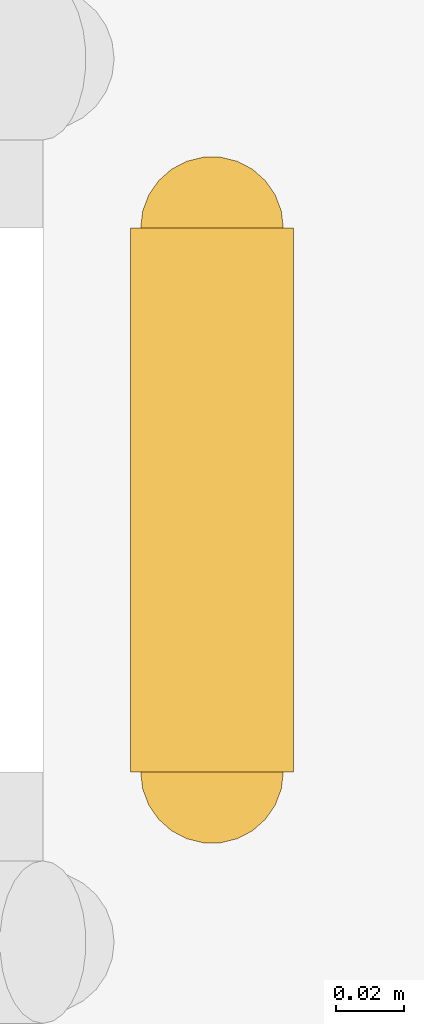
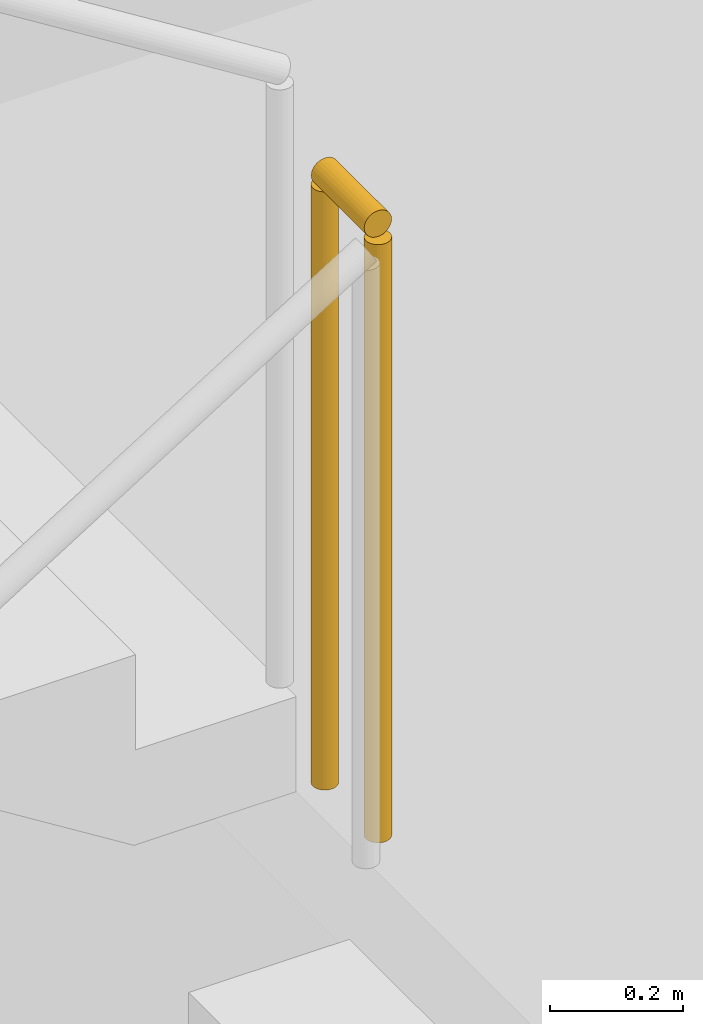
# One storey, part 16 of 16: 1 railing.
"""IFC4 building model written with IfcOpenShell, lengths in metres."""

from ifc_helpers import new_model, si_unit, direction, frame, origin, origin_2d, place, context, subcontext, project, spatial, circle, extrude, material, type_object, element, save


model = new_model("IFC4")

# Units and contexts
model_context = context("Model", 3, precision=1e-05, world=origin(), true_north=direction((0.0, 1.0)))
body_context = subcontext(model_context, "Body", "Model", "MODEL_VIEW")
ifc_project = project(units=[si_unit("LENGTHUNIT", "METRE"), si_unit("AREAUNIT", "SQUARE_METRE"), si_unit("VOLUMEUNIT", "CUBIC_METRE"), si_unit("PLANEANGLEUNIT", "RADIAN"), si_unit("MASSUNIT", "GRAM", prefix="KILO")], contexts=[model_context])

# Site, building, storey
site_placement = place(None, origin())
site = spatial("IfcSite", under=ifc_project, at=site_placement, CompositionType="ELEMENT")
building_placement = place(site_placement, origin())
building = spatial("IfcBuilding", under=site, at=building_placement, Name="Kolveth Station Tower", CompositionType="ELEMENT")
storey_placement = place(building_placement, frame((0.0, 0.0, -4.199951171875)))
storey = spatial("IfcBuildingStorey", under=building, at=storey_placement, Name="B1", CompositionType="ELEMENT", Elevation=-4.199951171875)

# Railing
ifc_material = material(Name="Painted Steel S355 balustrade", Category="steel")
railing_type = type_object("IfcRailingType", Name="Guard_GR2", PredefinedType="BALUSTRADE", material=ifc_material)
railing_placement = place(storey_placement, frame((60.8798828125, 37.199951171875, 2.099853515625)))
element("IfcRailing", 1, at=railing_placement, inside=storey, type_object=railing_type, Name="B1 ST3 stair guard 2", PredefinedType="BALUSTRADE", context=body_context, shape_type="SweptSolid", body=[
    extrude(circle(Radius=0.02392578125, at=origin_2d()), frame((0.0, 0.0, 1.1259765625), z_axis=(0.0, 1.0, 0.0), x_axis=(-1.0, 0.0, 0.0)), (0.0, 0.0, 1.0), 0.16015625),
    extrude(circle(Radius=0.02099609375, at=origin_2d()), origin(), (0.0, 0.0, 1.0), 1.101806640625),
    extrude(circle(Radius=0.02099609375, at=origin_2d()), frame((0.0, 0.16015625, 0.0)), (0.0, 0.0, 1.0), 1.101806640625),
])

save(model, "model.ifc")
